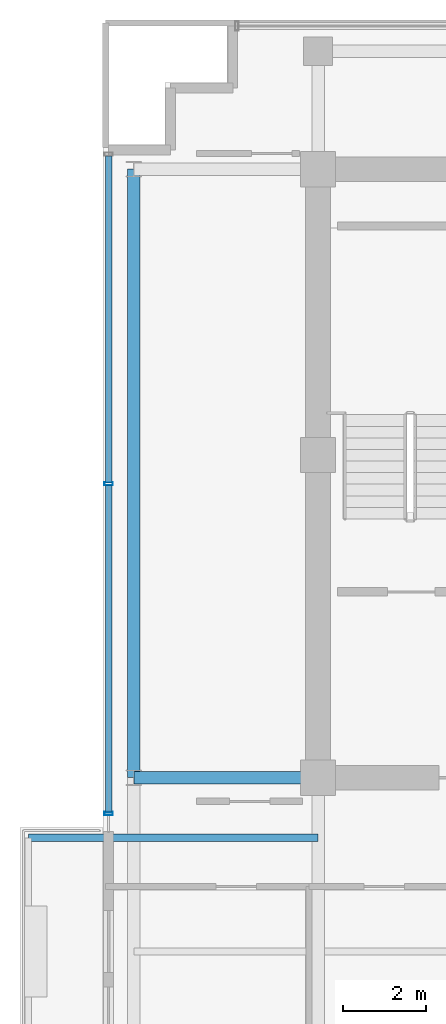
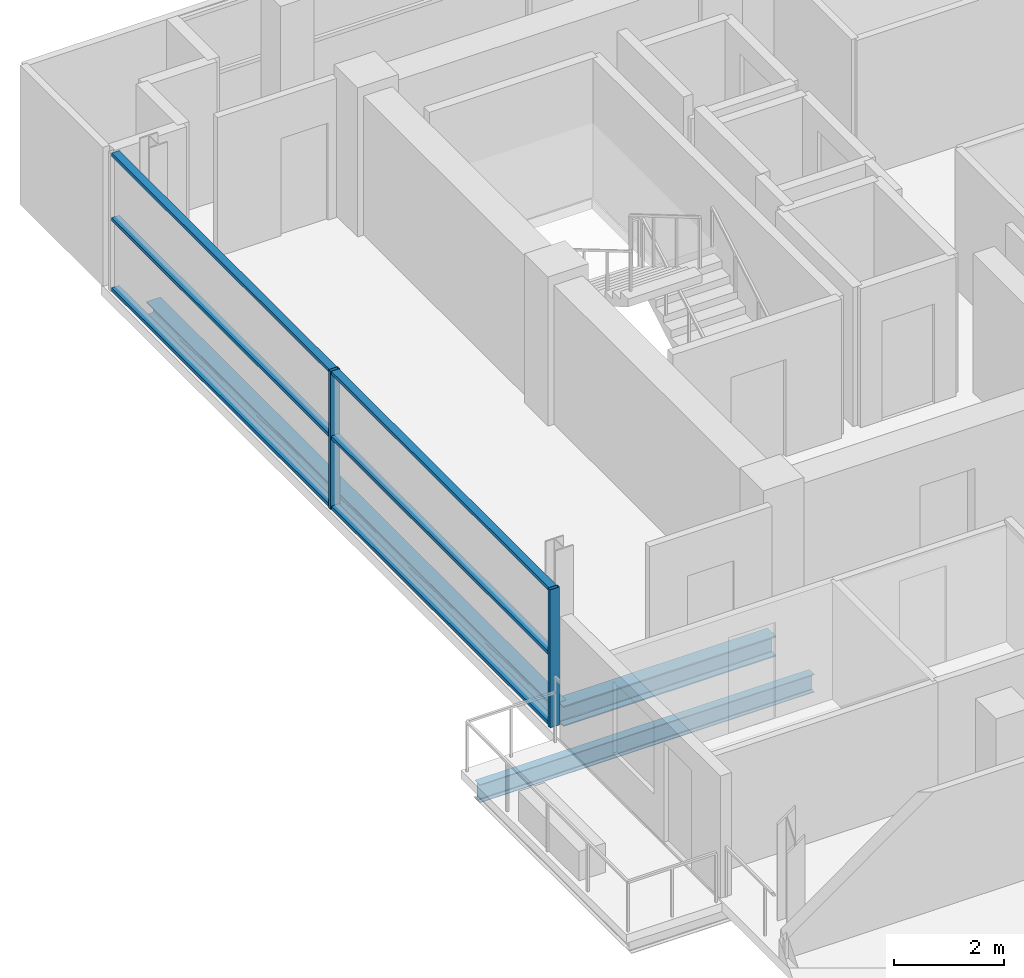
# One storey, part 5 of 21: 8 members, 3 beams, 1 element without a shape of its own.
"""IFC4 building model written with IfcOpenShell, lengths in metres."""

from ifc_helpers import new_model, si_unit, direction, frame, origin, origin_2d, place, context, subcontext, project, spatial, hollow_rectangle, i_section, extrude, source, transform, mapped, material, layer, layer_set, material_profile, profile_set, type_object, element, aggregate, save


model = new_model("IFC4")

# Units and contexts
model_context = context("Model", 3, precision=1e-05, world=origin(), true_north=direction((0.0, 1.0)))
body_context = subcontext(model_context, "Body", "Model", "MODEL_VIEW")
ifc_project = project(units=[si_unit("LENGTHUNIT", "METRE"), si_unit("AREAUNIT", "SQUARE_METRE"), si_unit("VOLUMEUNIT", "CUBIC_METRE"), si_unit("PLANEANGLEUNIT", "RADIAN"), si_unit("MASSUNIT", "GRAM", prefix="KILO")], contexts=[model_context])

# Site, building, storey
site_placement = place(None, origin())
site = spatial("IfcSite", under=ifc_project, at=site_placement, CompositionType="ELEMENT")
building_placement = place(site_placement, origin())
building = spatial("IfcBuilding", under=site, at=building_placement, Name="Zarnakvel Exchange Tower", CompositionType="ELEMENT")
storey_placement = place(building_placement, frame((0.0, 0.0, 255.10009765625)))
storey = spatial("IfcBuildingStorey", under=building, at=storey_placement, Name="L72", CompositionType="ELEMENT", Elevation=255.10009765625)

# Beams
ifc_material_1 = material(Name="Steel S355", Category="steel")
ifc_material_profile_1 = material_profile(ifc_material_1, i_section(OverallWidth=0.179931640625, OverallDepth=0.39990234375, WebThickness=0.008544921875, FlangeThickness=0.013427734375, FilletRadius=0.02099609375, at=origin_2d()))
ifc_profile_set_1 = profile_set([ifc_material_profile_1], Name="Steel S355")
beam_type_1 = type_object("IfcBeamType", Name="B-06", PredefinedType="JOIST", material=ifc_profile_set_1)
beam_1_placement = place(storey_placement, frame((-14.39990234375, -2.64990234375, -0.425048828125), z_axis=(-1.0, 0.0, 0.0), x_axis=(0.0, -1.0, 0.0)))
element("IfcBeam", 1, at=beam_1_placement, inside=storey, type_object=beam_type_1, Name="L72 Continuous West Loggia Beam N", PredefinedType="JOIST", context=body_context, shape_type="SweptSolid", body=[
    extrude(i_section(OverallWidth=0.179931640625, OverallDepth=0.39990234375, WebThickness=0.008544921875, FlangeThickness=0.013427734375, FilletRadius=0.02099609375, at=origin_2d()), origin(), (0.0, 0.0, 1.0), 7.0),
])
ifc_material_profile_2 = material_profile(ifc_material_1, i_section(OverallWidth=0.300048828125, OverallDepth=0.449951171875, WebThickness=0.013916015625, FlangeThickness=0.02587890625, FilletRadius=0.027099609375, at=origin_2d()))
ifc_profile_set_2 = profile_set([ifc_material_profile_2], Name="Steel S355")
beam_type_2 = type_object("IfcBeamType", Name="G-07", PredefinedType="BEAM", material=ifc_profile_set_2)
beam_2_placement = place(storey_placement, frame((-18.85009765625, -1.199951171875, -0.4501953125), z_axis=(1.0, 0.0, 0.0), x_axis=(0.0, 1.0, 0.0)))
element("IfcBeam", 2, at=beam_2_placement, inside=storey, type_object=beam_type_2, Name="L72 Tower E-W Frame Beam", PredefinedType="BEAM", context=body_context, shape_type="SweptSolid", body=[
    extrude(i_section(OverallWidth=0.300048828125, OverallDepth=0.449951171875, WebThickness=0.013916015625, FlangeThickness=0.02587890625, FilletRadius=0.027099609375, at=origin_2d()), origin(), (0.0, 0.0, 1.0), 4.4501953125),
])
ifc_material_profile_3 = material_profile(ifc_material_1, i_section(OverallWidth=0.300048828125, OverallDepth=0.300048828125, WebThickness=0.010986328125, FlangeThickness=0.01904296875, FilletRadius=0.027099609375, at=origin_2d()))
ifc_profile_set_3 = profile_set([ifc_material_profile_3], Name="Steel S355")
beam_type_3 = type_object("IfcBeamType", Name="SP-03", PredefinedType="SPANDREL", material=ifc_profile_set_3)
beam_3_placement = place(storey_placement, frame((-18.85009765625, -1.199951171875, -0.375), z_axis=(0.0, 1.0, 0.0), x_axis=(-1.0, 0.0, 0.0)))
element("IfcBeam", 3, at=beam_3_placement, inside=storey, type_object=beam_type_3, Name="L72 Tower N-S Frame Beam", PredefinedType="SPANDREL", context=body_context, shape_type="SweptSolid", body=[
    extrude(i_section(OverallWidth=0.300048828125, OverallDepth=0.300048828125, WebThickness=0.010986328125, FlangeThickness=0.01904296875, FilletRadius=0.027099609375, at=origin_2d()), origin(), (0.0, 0.0, 1.0), 14.699951171875),
])

# Curtain wall, members
ifc_material_2 = material(Name="Architectural Bronze Anodised Aluminium", Category="aluminium")
ifc_layer = layer(ifc_material_2, 0.199951171875)
ifc_layer_set = layer_set([ifc_layer], Name="Architectural Bronze Anodised Aluminium")
curtain_wall_type = type_object("IfcCurtainWallType", Name="CW-04", PredefinedType="NOTDEFINED", material=ifc_layer_set)
curtain_wall_placement = place(storey_placement, origin())
curtain_wall = element("IfcCurtainWall", 4, at=curtain_wall_placement, inside=storey, type_object=curtain_wall_type, Name="L72 Curtain Wall CW-L72-WN (CW-04)", PredefinedType="NOTDEFINED")
ifc_material_profile_4 = material_profile(ifc_material_2, hollow_rectangle(XDim=0.199951171875, YDim=0.074951171875, WallThickness=0.0048828125, at=origin_2d()))
ifc_profile_set_4 = profile_set([ifc_material_profile_4], Name="Architectural Bronze Anodised Aluminium")
member_type_1 = type_object("IfcMemberType", Name="CWM-04", PredefinedType="MULLION", material=ifc_profile_set_4)
shared_shape_1 = source(origin(), body_context, "Body", "SweptSolid", [
    extrude(hollow_rectangle(XDim=0.199951171875, YDim=0.074951171875, WallThickness=0.0048828125, at=origin_2d()), origin(), (0.0, 0.0, 1.0), 3.054931640625),
])
member_1_placement = place(storey_placement, frame((-19.4599609375, -2.0625, 0.0), z_axis=(0.0, 0.0, 1.0), x_axis=(-1.0, 0.0, 0.0)))
member_1 = element("IfcMember", 5, at=member_1_placement, type_object=member_type_1, Name="CW-04 mullion 1", PredefinedType="MULLION", context=body_context, shape_type="MappedRepresentation", body=[
    mapped(shared_shape_1, transform((0.0, 0.0, 0.0), x_axis=(1.0, 0.0, 0.0), y_axis=(0.0, 1.0, 0.0), z_axis=(0.0, 0.0, 1.0), scale=1.0)),
])
member_2_placement = place(storey_placement, frame((-19.4599609375, 5.89990234375, 0.0), z_axis=(0.0, 0.0, 1.0), x_axis=(-1.0, 0.0, 0.0)))
member_2 = element("IfcMember", 6, at=member_2_placement, type_object=member_type_1, Name="CW-04 mullion 2", PredefinedType="MULLION", context=body_context, shape_type="MappedRepresentation", body=[
    mapped(shared_shape_1, transform((0.0, 0.0, 0.0), x_axis=(1.0, 0.0, 0.0), y_axis=(0.0, 1.0, 0.0), z_axis=(0.0, 0.0, 1.0), scale=1.0)),
])
ifc_material_profile_5 = material_profile(ifc_material_2, hollow_rectangle(XDim=0.159912109375, YDim=0.074951171875, WallThickness=0.00390625, at=origin_2d()))
ifc_profile_set_5 = profile_set([ifc_material_profile_5], Name="Architectural Bronze Anodised Aluminium")
member_type_2 = type_object("IfcMemberType", Name="CWT-04", PredefinedType="USERDEFINED", material=ifc_profile_set_5)
shared_shape_2 = source(origin(), body_context, "Body", "SweptSolid", [
    extrude(hollow_rectangle(XDim=0.159912109375, YDim=0.074951171875, WallThickness=0.00390625, at=origin_2d()), origin(), (0.0, 0.0, 1.0), 7.887451171875),
])
member_3_placement = place(storey_placement, frame((-19.4599609375, -2.02490234375, 0.037353515625), z_axis=(0.0, 1.0, 0.0), x_axis=(-1.0, 0.0, 0.0)))
member_3 = element("IfcMember", 7, at=member_3_placement, type_object=member_type_2, Name="CW-04 transom 1.1", ObjectType="TRANSOM", PredefinedType="USERDEFINED", context=body_context, shape_type="MappedRepresentation", body=[
    mapped(shared_shape_2, transform((0.0, 0.0, 0.0), x_axis=(1.0, 0.0, 0.0), y_axis=(0.0, 1.0, 0.0), z_axis=(0.0, 0.0, 1.0), scale=1.0)),
])
member_4_placement = place(storey_placement, frame((-19.4599609375, -2.02490234375, 1.588623046875), z_axis=(0.0, 1.0, 0.0), x_axis=(-1.0, 0.0, 0.0)))
member_4 = element("IfcMember", 8, at=member_4_placement, type_object=member_type_2, Name="CW-04 transom 1.2", ObjectType="TRANSOM", PredefinedType="USERDEFINED", context=body_context, shape_type="MappedRepresentation", body=[
    mapped(shared_shape_2, transform((0.0, 0.0, 0.0), x_axis=(1.0, 0.0, 0.0), y_axis=(0.0, 1.0, 0.0), z_axis=(0.0, 0.0, 1.0), scale=1.0)),
])
member_5_placement = place(storey_placement, frame((-19.4599609375, -2.02490234375, 3.017333984375), z_axis=(0.0, 1.0, 0.0), x_axis=(-1.0, 0.0, 0.0)))
member_5 = element("IfcMember", 9, at=member_5_placement, type_object=member_type_2, Name="CW-04 transom 1.3", ObjectType="TRANSOM", PredefinedType="USERDEFINED", context=body_context, shape_type="MappedRepresentation", body=[
    mapped(shared_shape_2, transform((0.0, 0.0, 0.0), x_axis=(1.0, 0.0, 0.0), y_axis=(0.0, 1.0, 0.0), z_axis=(0.0, 0.0, 1.0), scale=1.0)),
])
member_6_placement = place(storey_placement, frame((-19.4599609375, 5.9375, 0.037353515625), z_axis=(0.0, 1.0, 0.0), x_axis=(-1.0, 0.0, 0.0)))
member_6 = element("IfcMember", 10, at=member_6_placement, type_object=member_type_2, Name="CW-04 transom 2.1", ObjectType="TRANSOM", PredefinedType="USERDEFINED", context=body_context, shape_type="MappedRepresentation", body=[
    mapped(shared_shape_2, transform((0.0, 0.0, 0.0), x_axis=(1.0, 0.0, 0.0), y_axis=(0.0, 1.0, 0.0), z_axis=(0.0, 0.0, 1.0), scale=1.0)),
])
member_7_placement = place(storey_placement, frame((-19.4599609375, 5.9375, 1.588623046875), z_axis=(0.0, 1.0, 0.0), x_axis=(-1.0, 0.0, 0.0)))
member_7 = element("IfcMember", 11, at=member_7_placement, type_object=member_type_2, Name="CW-04 transom 2.2", ObjectType="TRANSOM", PredefinedType="USERDEFINED", context=body_context, shape_type="MappedRepresentation", body=[
    mapped(shared_shape_2, transform((0.0, 0.0, 0.0), x_axis=(1.0, 0.0, 0.0), y_axis=(0.0, 1.0, 0.0), z_axis=(0.0, 0.0, 1.0), scale=1.0)),
])
member_8_placement = place(storey_placement, frame((-19.4599609375, 5.9375, 3.017333984375), z_axis=(0.0, 1.0, 0.0), x_axis=(-1.0, 0.0, 0.0)))
member_8 = element("IfcMember", 12, at=member_8_placement, type_object=member_type_2, Name="CW-04 transom 2.3", ObjectType="TRANSOM", PredefinedType="USERDEFINED", context=body_context, shape_type="MappedRepresentation", body=[
    mapped(shared_shape_2, transform((0.0, 0.0, 0.0), x_axis=(1.0, 0.0, 0.0), y_axis=(0.0, 1.0, 0.0), z_axis=(0.0, 0.0, 1.0), scale=1.0)),
])
aggregate(curtain_wall, [member_1, member_2, member_3, member_4, member_5, member_6, member_7, member_8])

save(model, "model.ifc")
